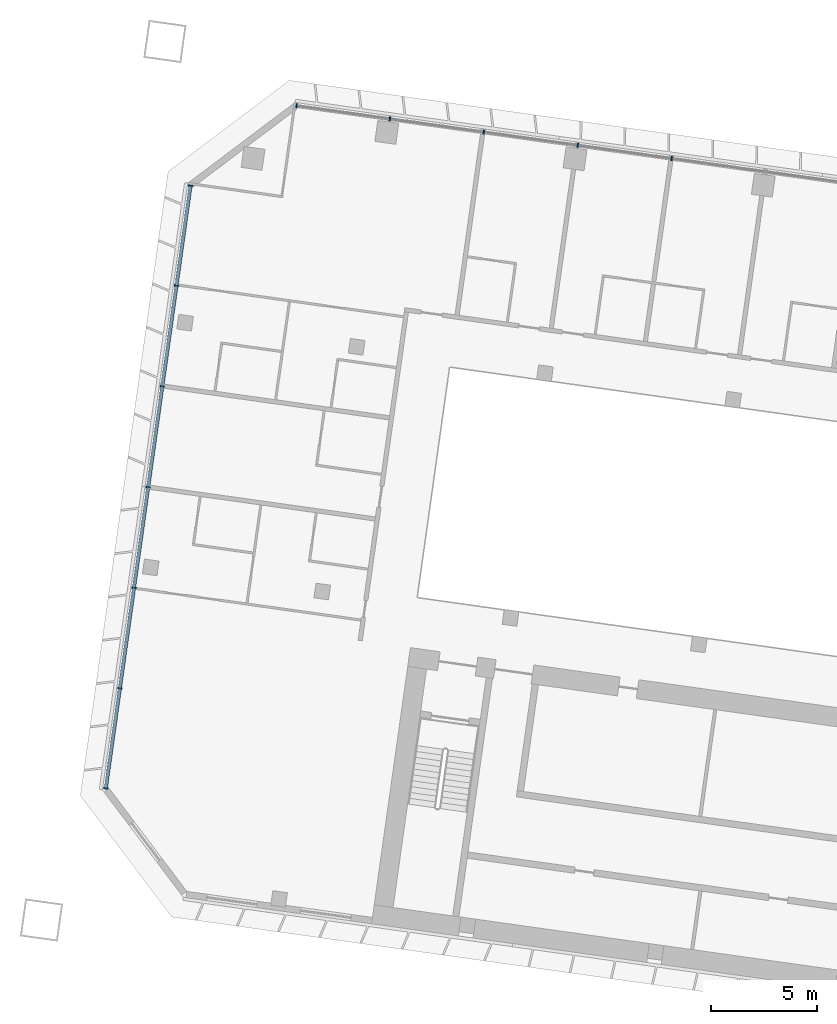
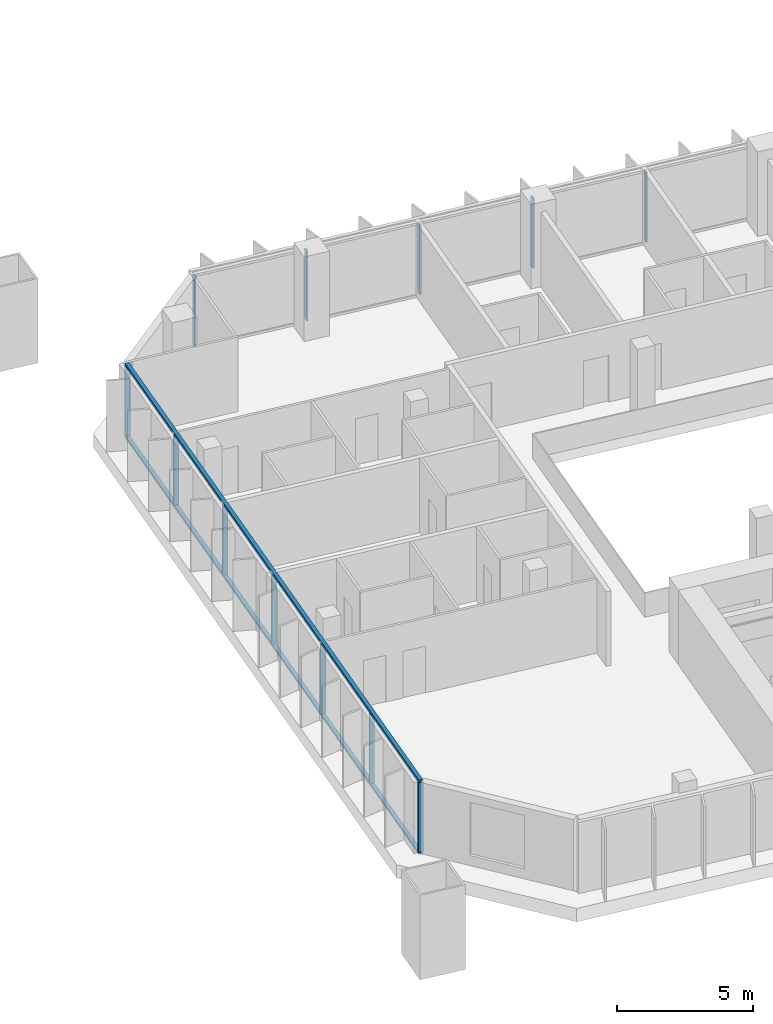
# One storey, part 2 of 25: 14 members, 2 elements without a shape of their own.
"""IFC4 building model written with IfcOpenShell, lengths in metres."""

from ifc_helpers import new_model, si_unit, direction, frame, origin, origin_2d, place, context, subcontext, project, spatial, rectangle, extrude, material, material_profile, profile_set, type_object, element, aggregate, save


model = new_model("IFC4")

# Units and contexts
model_context = context("Model", 3, precision=1e-05, world=origin(), true_north=direction((0.0, 1.0)))
body_context = subcontext(model_context, "Body", "Model", "MODEL_VIEW")
ifc_project = project(units=[si_unit("LENGTHUNIT", "METRE"), si_unit("AREAUNIT", "SQUARE_METRE"), si_unit("VOLUMEUNIT", "CUBIC_METRE"), si_unit("PLANEANGLEUNIT", "RADIAN"), si_unit("MASSUNIT", "GRAM", prefix="KILO")], contexts=[model_context])

# Site, building, storey
site_placement = place(None, origin())
site = spatial("IfcSite", under=ifc_project, at=site_placement, CompositionType="ELEMENT")
building_placement = place(site_placement, origin())
building = spatial("IfcBuilding", under=site, at=building_placement, Name="Mirante Cascada Hotel Towers", CompositionType="ELEMENT")
storey_placement = place(building_placement, frame((0.0, 0.0, 69.9)))
storey = spatial("IfcBuildingStorey", under=building, at=storey_placement, Name="L14", CompositionType="ELEMENT", Elevation=69.9)

# Curtain wall, members
ifc_material_1 = material(Name="Aluminium mullion and transom frame with clear laminated glass", Category="aluminium")
curtain_wall_type_1 = type_object("IfcCurtainWallType", Name="Ribbon curtain wall ECW1", PredefinedType="NOTDEFINED", material=ifc_material_1)
curtain_wall_1_placement = place(storey_placement, origin())
curtain_wall_1 = element("IfcCurtainWall", 1, at=curtain_wall_1_placement, inside=storey, type_object=curtain_wall_type_1, Name="Front ribbon wall T1 L14", PredefinedType="NOTDEFINED")
ifc_material_2 = material(Name="Anodised aluminium extrusion", Category="aluminium")
ifc_material_profile_1 = material_profile(ifc_material_2, rectangle(XDim=0.2, YDim=0.065, at=origin_2d()), Name="ECW1 MULLION 65x200")
ifc_profile_set_1 = profile_set([ifc_material_profile_1], Name="Anodised aluminium extrusion")
member_type_1 = type_object("IfcMemberType", Name="ECW1 mullion 65x200", PredefinedType="MULLION", material=ifc_profile_set_1)
member_1_placement = place(storey_placement, frame((-94.126, 26.0476, 0.1), z_axis=(0.0, 0.0, 1.0), x_axis=(0.1391731, 0.9902681, 0.0)))
member_1 = element("IfcMember", 2, at=member_1_placement, type_object=member_type_1, Name="ECW1 mullion 1", PredefinedType="MULLION", context=body_context, shape_type="SweptSolid", body=[
    extrude(rectangle(XDim=0.2, YDim=0.065, at=origin_2d()), origin(), (0.0, 0.0, 1.0), 3.15),
])
member_2_placement = place(storey_placement, frame((-89.7107, 25.427, 0.1), z_axis=(0.0, 0.0, 1.0), x_axis=(0.1391731, 0.9902681, 0.0)))
member_2 = element("IfcMember", 3, at=member_2_placement, type_object=member_type_1, Name="ECW1 mullion 2", PredefinedType="MULLION", context=body_context, shape_type="SweptSolid", body=[
    extrude(rectangle(XDim=0.2, YDim=0.065, at=origin_2d()), origin(), (0.0, 0.0, 1.0), 3.15),
])
member_3_placement = place(storey_placement, frame((-85.2633, 24.802, 0.1), z_axis=(0.0, 0.0, 1.0), x_axis=(0.1391731, 0.9902681, 0.0)))
member_3 = element("IfcMember", 4, at=member_3_placement, type_object=member_type_1, Name="ECW1 mullion 3", PredefinedType="MULLION", context=body_context, shape_type="SweptSolid", body=[
    extrude(rectangle(XDim=0.2, YDim=0.065, at=origin_2d()), origin(), (0.0, 0.0, 1.0), 3.15),
])
member_4_placement = place(storey_placement, frame((-80.8159, 24.177, 0.1), z_axis=(0.0, 0.0, 1.0), x_axis=(0.1391731, 0.9902681, 0.0)))
member_4 = element("IfcMember", 5, at=member_4_placement, type_object=member_type_1, Name="ECW1 mullion 4", PredefinedType="MULLION", context=body_context, shape_type="SweptSolid", body=[
    extrude(rectangle(XDim=0.2, YDim=0.065, at=origin_2d()), origin(), (0.0, 0.0, 1.0), 3.15),
])
member_5_placement = place(storey_placement, frame((-76.3685, 23.5519, 0.1), z_axis=(0.0, 0.0, 1.0), x_axis=(0.1391731, 0.9902681, 0.0)))
member_5 = element("IfcMember", 6, at=member_5_placement, type_object=member_type_1, Name="ECW1 mullion 5", PredefinedType="MULLION", context=body_context, shape_type="SweptSolid", body=[
    extrude(rectangle(XDim=0.2, YDim=0.065, at=origin_2d()), origin(), (0.0, 0.0, 1.0), 3.15),
])
aggregate(curtain_wall_1, [member_1, member_2, member_3, member_4, member_5])

ifc_material_3 = material(Name="Aluminium mullion and transom frame with clear laminated glass", Category="aluminium")
curtain_wall_type_2 = type_object("IfcCurtainWallType", Name="End ribbon curtain wall ECW2", PredefinedType="NOTDEFINED", material=ifc_material_3)
curtain_wall_2_placement = place(storey_placement, origin())
curtain_wall_2 = element("IfcCurtainWall", 7, at=curtain_wall_2_placement, inside=storey, type_object=curtain_wall_type_2, Name="Outer end wall T1 L14", PredefinedType="NOTDEFINED")
ifc_material_4 = material(Name="Anodised aluminium extrusion", Category="aluminium")
ifc_material_profile_2 = material_profile(ifc_material_4, rectangle(XDim=0.2, YDim=0.065, at=origin_2d()), Name="ECW2 MULLION 65x200")
ifc_profile_set_2 = profile_set([ifc_material_profile_2], Name="Anodised aluminium extrusion")
member_type_2 = type_object("IfcMemberType", Name="ECW2 mullion 65x200", PredefinedType="MULLION", material=ifc_profile_set_2)
member_6_placement = place(storey_placement, frame((-103.1556, -6.2656, 0.1), z_axis=(0.0, 0.0, 1.0), x_axis=(-0.9902681, 0.1391731, 0.0)))
member_6 = element("IfcMember", 8, at=member_6_placement, type_object=member_type_2, Name="ECW2 mullion 1", PredefinedType="MULLION", context=body_context, shape_type="SweptSolid", body=[
    extrude(rectangle(XDim=0.2, YDim=0.065, at=origin_2d()), origin(), (0.0, 0.0, 1.0), 3.15),
])
member_7_placement = place(storey_placement, frame((-102.4903, -1.532, 0.1), z_axis=(0.0, 0.0, 1.0), x_axis=(-0.9902681, 0.1391731, 0.0)))
member_7 = element("IfcMember", 9, at=member_7_placement, type_object=member_type_2, Name="ECW2 mullion 2", PredefinedType="MULLION", context=body_context, shape_type="SweptSolid", body=[
    extrude(rectangle(XDim=0.2, YDim=0.065, at=origin_2d()), origin(), (0.0, 0.0, 1.0), 3.15),
])
member_8_placement = place(storey_placement, frame((-101.8205, 3.2338, 0.1), z_axis=(0.0, 0.0, 1.0), x_axis=(-0.9902681, 0.1391731, 0.0)))
member_8 = element("IfcMember", 10, at=member_8_placement, type_object=member_type_2, Name="ECW2 mullion 3", PredefinedType="MULLION", context=body_context, shape_type="SweptSolid", body=[
    extrude(rectangle(XDim=0.2, YDim=0.065, at=origin_2d()), origin(), (0.0, 0.0, 1.0), 3.15),
])
member_9_placement = place(storey_placement, frame((-101.1508, 7.9996, 0.1), z_axis=(0.0, 0.0, 1.0), x_axis=(-0.9902681, 0.1391731, 0.0)))
member_9 = element("IfcMember", 11, at=member_9_placement, type_object=member_type_2, Name="ECW2 mullion 4", PredefinedType="MULLION", context=body_context, shape_type="SweptSolid", body=[
    extrude(rectangle(XDim=0.2, YDim=0.065, at=origin_2d()), origin(), (0.0, 0.0, 1.0), 3.15),
])
member_10_placement = place(storey_placement, frame((-100.481, 12.7654, 0.1), z_axis=(0.0, 0.0, 1.0), x_axis=(-0.9902681, 0.1391731, 0.0)))
member_10 = element("IfcMember", 12, at=member_10_placement, type_object=member_type_2, Name="ECW2 mullion 5", PredefinedType="MULLION", context=body_context, shape_type="SweptSolid", body=[
    extrude(rectangle(XDim=0.2, YDim=0.065, at=origin_2d()), origin(), (0.0, 0.0, 1.0), 3.15),
])
member_11_placement = place(storey_placement, frame((-99.8112, 17.5312, 0.1), z_axis=(0.0, 0.0, 1.0), x_axis=(-0.9902681, 0.1391731, 0.0)))
member_11 = element("IfcMember", 13, at=member_11_placement, type_object=member_type_2, Name="ECW2 mullion 6", PredefinedType="MULLION", context=body_context, shape_type="SweptSolid", body=[
    extrude(rectangle(XDim=0.2, YDim=0.065, at=origin_2d()), origin(), (0.0, 0.0, 1.0), 3.15),
])
member_12_placement = place(storey_placement, frame((-99.1459, 22.2648, 0.1), z_axis=(0.0, 0.0, 1.0), x_axis=(-0.9902681, 0.1391731, 0.0)))
member_12 = element("IfcMember", 14, at=member_12_placement, type_object=member_type_2, Name="ECW2 mullion 7", PredefinedType="MULLION", context=body_context, shape_type="SweptSolid", body=[
    extrude(rectangle(XDim=0.2, YDim=0.065, at=origin_2d()), origin(), (0.0, 0.0, 1.0), 3.15),
])
ifc_material_5 = material(Name="Anodised aluminium extrusion", Category="aluminium")
ifc_material_profile_3 = material_profile(ifc_material_5, rectangle(XDim=0.16, YDim=0.1, at=origin_2d()), Name="ECW2 TRANSOM 100x160")
ifc_profile_set_3 = profile_set([ifc_material_profile_3], Name="Anodised aluminium extrusion")
member_type_3 = type_object("IfcMemberType", Name="ECW2 transom 100x160", PredefinedType="USERDEFINED", material=ifc_profile_set_3)
member_13_placement = place(storey_placement, frame((-103.1601, -6.2978, 0.05), z_axis=(0.1391723, 0.9902682, 0.0), x_axis=(-0.9902682, 0.1391723, 0.0)))
member_13 = element("IfcMember", 15, at=member_13_placement, type_object=member_type_3, Name="ECW2 sill transom", ObjectType="TRANSOM", PredefinedType="USERDEFINED", context=body_context, shape_type="SweptSolid", body=[
    extrude(rectangle(XDim=0.16, YDim=0.1, at=origin_2d()), origin(), (0.0, 0.0, 1.0), 28.8757),
])
member_14_placement = place(storey_placement, frame((-103.1601, -6.2978, 3.3), z_axis=(0.1391723, 0.9902682, 0.0), x_axis=(-0.9902682, 0.1391723, 0.0)))
member_14 = element("IfcMember", 16, at=member_14_placement, type_object=member_type_3, Name="ECW2 head transom", ObjectType="TRANSOM", PredefinedType="USERDEFINED", context=body_context, shape_type="SweptSolid", body=[
    extrude(rectangle(XDim=0.16, YDim=0.1, at=origin_2d()), origin(), (0.0, 0.0, 1.0), 28.8757),
])
aggregate(curtain_wall_2, [member_13, member_14, member_6, member_7, member_8, member_9, member_10, member_11, member_12])

save(model, "model.ifc")
